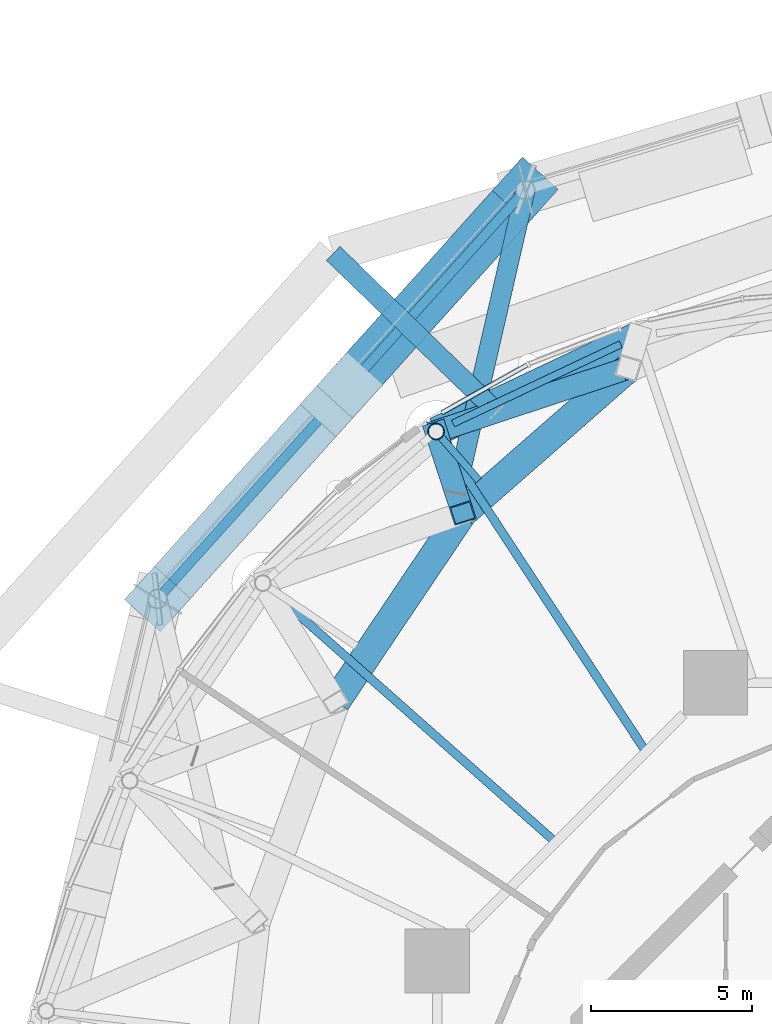
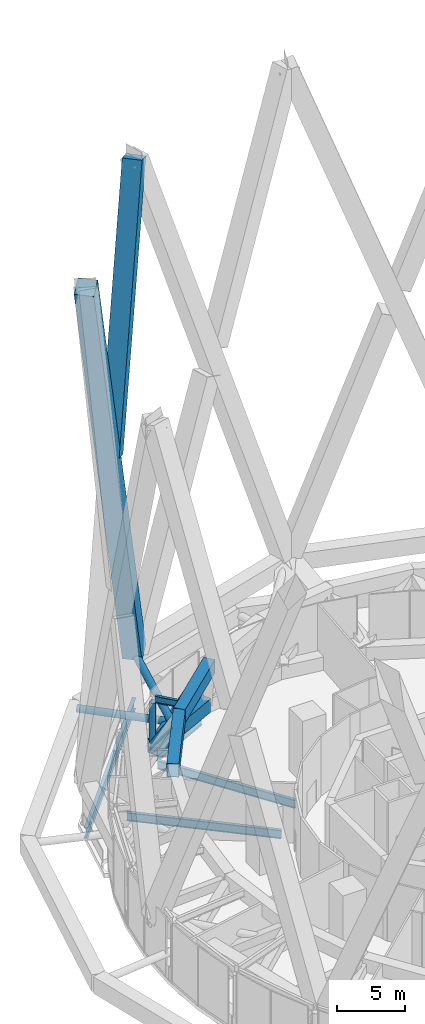
# One storey, part 30 of 49: 10 beams, 6 members, 1 element without a shape of its own.
"""IFC4 building model written with IfcOpenShell, lengths in metres."""

from ifc_helpers import new_model, si_unit, direction, frame, origin, origin_2d, place, context, subcontext, project, spatial, rectangle, hollow_rectangle, hollow_circle, i_section, extrude, material, layer, layer_set, material_profile, profile_set, type_object, element, aggregate, save


model = new_model("IFC4")

# Units and contexts
model_context = context("Model", 3, precision=1e-05, world=origin(), true_north=direction((0.0, 1.0)))
body_context = subcontext(model_context, "Body", "Model", "MODEL_VIEW")
ifc_project = project(units=[si_unit("LENGTHUNIT", "METRE"), si_unit("AREAUNIT", "SQUARE_METRE"), si_unit("VOLUMEUNIT", "CUBIC_METRE"), si_unit("PLANEANGLEUNIT", "RADIAN"), si_unit("MASSUNIT", "GRAM", prefix="KILO")], contexts=[model_context])

# Site, building, storey
site_placement = place(None, origin())
site = spatial("IfcSite", under=ifc_project, at=site_placement, CompositionType="ELEMENT")
building_placement = place(site_placement, origin())
building = spatial("IfcBuilding", under=site, at=building_placement, Name="Nagisa Residences", CompositionType="ELEMENT")
storey_placement = place(building_placement, frame((0.0, 0.0, 160.300048828125)))
storey = spatial("IfcBuildingStorey", under=building, at=storey_placement, Name="L40", CompositionType="ELEMENT", Elevation=160.300048828125)

# Beams
ifc_material_1 = material(Name="Steel ASTM A572 Gr 50", Category="steel")
ifc_material_profile_1 = material_profile(ifc_material_1, hollow_rectangle(XDim=0.89990234375, YDim=1.199951171875, WallThickness=0.044921875, at=origin_2d()), Name="BX 900x1200x45")
ifc_profile_set_1 = profile_set([ifc_material_profile_1], Name="Steel ASTM A572 Gr 50")
beam_type_1 = type_object("IfcBeamType", Name="Belt chord 3 BX 900x1200x45", PredefinedType="BEAM", material=ifc_profile_set_1)
beam_1_placement = place(storey_placement, frame((-8.538330078125, 25.5654296875, 0.599853515625), z_axis=(-0.904168316158, -0.427176375817, 0.0), x_axis=(0.427176375817, -0.904168316158, 0.0)))
element("IfcBeam", 1, at=beam_1_placement, inside=storey, type_object=beam_type_1, Name="beam:L40:bt3b08", PredefinedType="BEAM", context=body_context, shape_type="SweptSolid", body=[
    extrude(hollow_rectangle(XDim=0.89990234375, YDim=1.199951171875, WallThickness=0.044921875, at=origin_2d()), origin(), (0.0, 0.0, 1.0), 6.944580078125),
])
beam_2_placement = place(storey_placement, frame((-8.83740234375, 24.573486328125, 4.739990234375), z_axis=(-0.75247507353, -0.658620728277, 0.0), x_axis=(0.658620728277, -0.75247507353, 0.0)))
element("IfcBeam", 2, at=beam_2_placement, inside=storey, type_object=beam_type_1, Name="beam:L40:bt3t09", PredefinedType="BEAM", context=body_context, shape_type="SweptSolid", body=[
    extrude(hollow_rectangle(XDim=0.89990234375, YDim=1.199951171875, WallThickness=0.044921875, at=origin_2d()), origin(), (0.0, 0.0, 1.0), 6.846435546875),
])
beam_3_placement = place(storey_placement, frame((-13.9892578125, 20.064208984375, 4.739990234375), z_axis=(-0.558147783438, -0.829741557259, 0.0), x_axis=(0.829741557259, -0.558147783438, 0.0)))
element("IfcBeam", 3, at=beam_3_placement, inside=storey, type_object=beam_type_1, Name="beam:L40:bt3t10", PredefinedType="BEAM", context=body_context, shape_type="SweptSolid", body=[
    extrude(hollow_rectangle(XDim=0.89990234375, YDim=1.199951171875, WallThickness=0.044921875, at=origin_2d()), origin(), (0.0, 0.0, 1.0), 7.08251953125),
])
ifc_material_2 = material(Name="Steel ASTM A572 Gr 50", Category="steel")
ifc_material_profile_2 = material_profile(ifc_material_2, hollow_rectangle(XDim=0.699951171875, YDim=0.699951171875, WallThickness=0.0400390625, at=origin_2d()), Name="BX 700x700x40")
ifc_profile_set_2 = profile_set([ifc_material_profile_2], Name="Steel ASTM A572 Gr 50")
beam_type_2 = type_object("IfcBeamType", Name="Belt diagonal 3 BX 700x700x40", PredefinedType="BEAM", material=ifc_profile_set_2)
beam_4_placement = place(storey_placement, frame((-14.8173828125, 22.598876953125, 0.599853515625), z_axis=(0.793461157882, 0.262003504734, 0.549339197982), x_axis=(-0.313551551342, 0.949571179349, 0.0)))
element("IfcBeam", 4, at=beam_4_placement, inside=storey, type_object=beam_type_2, Name="beam:L40:bt3da09", PredefinedType="BEAM", context=body_context, shape_type="SweptSolid", body=[
    extrude(hollow_rectangle(XDim=0.699951171875, YDim=0.699951171875, WallThickness=0.0400390625, at=origin_2d()), origin(), (0.0, 0.0, 1.0), 7.53662109375),
])
beam_5_placement = place(storey_placement, frame((-14.8173828125, 22.598876953125, 0.599853515625), z_axis=(0.168163016761, -0.514701780664, 0.840715931082), x_axis=(0.950552513541, 0.310563872658, 0.0)))
element("IfcBeam", 5, at=beam_5_placement, inside=storey, type_object=beam_type_2, Name="beam:L40:bt3db09", PredefinedType="BEAM", context=body_context, shape_type="SweptSolid", body=[
    extrude(hollow_rectangle(XDim=0.699951171875, YDim=0.699951171875, WallThickness=0.0400390625, at=origin_2d()), origin(), (0.0, 0.0, 1.0), 4.924560546875),
])

# Curtain wall, member
ifc_material_3 = material(Name="Aluminium curtain wall system", Category="aluminium")
ifc_layer = layer(ifc_material_3, 0.159912109375)
ifc_layer_set = layer_set([ifc_layer], Name="CW2 CURTAIN WALL")
curtain_wall_type = type_object("IfcCurtainWallType", Name="CW2 CURTAIN WALL", PredefinedType="NOTDEFINED", material=ifc_layer_set)
curtain_wall_placement = place(storey_placement, origin())
curtain_wall = element("IfcCurtainWall", 6, at=curtain_wall_placement, inside=storey, type_object=curtain_wall_type, Name="cw:CW2:L40:15", PredefinedType="NOTDEFINED")
ifc_material_4 = material(Name="Aluminium", Category="aluminium")
ifc_material_profile_3 = material_profile(ifc_material_4, rectangle(XDim=0.139892578125, YDim=0.179931640625, at=origin_2d()), Name="CW2 TRANSOM 140x180")
ifc_profile_set_3 = profile_set([ifc_material_profile_3], Name="Aluminium")
member_type_1 = type_object("IfcMemberType", Name="CW2 TRANSOM 140x180", PredefinedType="USERDEFINED", material=ifc_profile_set_3)
member_1_placement = place(storey_placement, frame((-11.915283203125, 24.708984375, 0.08984375), z_axis=(-0.872093355967, -0.48933953292, 0.0), x_axis=(0.48933953292, -0.872093355967, 0.0)))
member_1 = element("IfcMember", 7, at=member_1_placement, type_object=member_type_1, Name="CW2 transom", ObjectType="TRANSOM", PredefinedType="USERDEFINED", context=body_context, shape_type="SweptSolid", body=[
    extrude(rectangle(XDim=0.139892578125, YDim=0.179931640625, at=origin_2d()), origin(), (0.0, 0.0, 1.0), 3.11962890625),
])
aggregate(curtain_wall, [member_1])

# Members
ifc_material_5 = material(Name="Concrete C80", Category="concrete")
ifc_material_profile_4 = material_profile(ifc_material_5, rectangle(XDim=1.5, YDim=1.5, at=origin_2d()), Name="C80 1500x1500")
ifc_profile_set_4 = profile_set([ifc_material_profile_4], Name="Concrete C80")
member_type_2 = type_object("IfcMemberType", Name="Cage diagonal 4 C80 1500x1500", PredefinedType="BRACE", material=ifc_profile_set_4)
member_2_placement = place(storey_placement, frame((-12.03759765625, 30.115966796875, 3.699951171875), z_axis=(-0.240089356063, -0.266961667542, 0.933321257215), x_axis=(0.743538039547, -0.668693639679, 0.0)))
element("IfcMember", 8, at=member_2_placement, inside=storey, type_object=member_type_2, Name="mem:L40:cg4d009", PredefinedType="BRACE", context=body_context, shape_type="SweptSolid", body=[
    extrude(rectangle(XDim=1.5, YDim=1.5, at=origin_2d()), origin(), (0.0, 0.0, 1.0), 47.67919921875),
])
member_3_placement = place(storey_placement, frame((-17.497314453125, 24.045166015625, 26.975830078125), z_axis=(0.240088711993, 0.266960868955, 0.933321651319), x_axis=(-0.743537936889, 0.668693753827, 0.0)))
element("IfcMember", 9, at=member_3_placement, inside=storey, type_object=member_type_2, Name="mem:L40:cg4d010b", PredefinedType="BRACE", context=body_context, shape_type="SweptSolid", body=[
    extrude(rectangle(XDim=1.5, YDim=1.5, at=origin_2d()), origin(), (0.0, 0.0, 1.0), 22.740478515625),
])
ifc_material_6 = material(Name="Steel ASTM A572 Gr 65", Category="steel")
ifc_material_profile_5 = material_profile(ifc_material_6, hollow_circle(Radius=0.304931640625, WallThickness=0.02490234375, at=origin_2d()), Name="CHS 610x25")
ifc_profile_set_5 = profile_set([ifc_material_profile_5], Name="Steel ASTM A572 Gr 65")
member_type_3 = type_object("IfcMemberType", Name="Cage strut CHS 610x25", PredefinedType="STRUT", material=ifc_profile_set_5)
member_4_placement = place(storey_placement, frame((-18.017578125, 28.1416015625, 1.89990234375), z_axis=(0.717999194602, -0.696043932918, 0.0), x_axis=(0.696043932918, 0.717999194602, 0.0)))
element("IfcMember", 10, at=member_4_placement, inside=storey, type_object=member_type_3, Name="mem:L40:bt3st3a05", PredefinedType="STRUT", context=body_context, shape_type="SweptSolid", body=[
    extrude(hollow_circle(Radius=0.304931640625, WallThickness=0.02490234375, at=origin_2d()), origin(), (0.0, 0.0, 1.0), 7.072265625),
])
member_5_placement = place(storey_placement, frame((-12.03759765625, 30.115966796875, 3.699951171875), z_axis=(-0.223578264181, -0.974685980091, 0.0), x_axis=(0.974685980091, -0.223578264181, 0.0)))
element("IfcMember", 11, at=member_5_placement, inside=storey, type_object=member_type_3, Name="mem:L40:bt3st4b05", PredefinedType="STRUT", context=body_context, shape_type="SweptSolid", body=[
    extrude(hollow_circle(Radius=0.304931640625, WallThickness=0.02490234375, at=origin_2d()), origin(), (0.0, 0.0, 1.0), 9.65966796875),
])

# Beam
ifc_material_7 = material(Name="Steel ASTM A572 Gr 50", Category="steel")
ifc_material_profile_6 = material_profile(ifc_material_7, i_section(OverallWidth=0.300048828125, OverallDepth=0.97998046875, WebThickness=0.0166015625, FlangeThickness=0.02587890625, at=origin_2d()), Name="W1000x249")
ifc_profile_set_6 = profile_set([ifc_material_profile_6], Name="Steel ASTM A572 Gr 50")
beam_type_3 = type_object("IfcBeamType", Name="Deck edge beam W1000x249", PredefinedType="BEAM", material=ifc_profile_set_6)
beam_6_placement = place(storey_placement, frame((-12.03759765625, 30.115966796875, -0.89013671875), z_axis=(-0.668693639679, -0.743538039547, 0.0), x_axis=(0.743538039547, -0.668693639679, 0.0)))
element("IfcBeam", 12, at=beam_6_placement, inside=storey, type_object=beam_type_3, Name="beam:L40:deckedge05", PredefinedType="BEAM", context=body_context, shape_type="SweptSolid", body=[
    extrude(i_section(OverallWidth=0.300048828125, OverallDepth=0.97998046875, WebThickness=0.0166015625, FlangeThickness=0.02587890625, at=origin_2d()), origin(), (0.0, 0.0, 1.0), 17.118896484375),
])

# Member
ifc_material_8 = material(Name="Steel ASTM A572 Gr 65", Category="steel")
ifc_material_profile_7 = material_profile(ifc_material_8, hollow_circle(Radius=0.25390625, WallThickness=0.02001953125, at=origin_2d()), Name="CHS 508x20")
ifc_profile_set_7 = profile_set([ifc_material_profile_7], Name="Steel ASTM A572 Gr 65")
member_type_4 = type_object("IfcMemberType", Name="Garden edge post CHS 508x20", PredefinedType="POST", material=ifc_profile_set_7)
member_6_placement = place(storey_placement, frame((-14.8173828125, 22.598876953125, 1.199951171875), z_axis=(0.0, 0.0, 1.0), x_axis=(1.0, 0.0, 0.0)))
element("IfcMember", 13, at=member_6_placement, inside=storey, type_object=member_type_4, Name="mem:L40:gp309", PredefinedType="POST", context=body_context, shape_type="SweptSolid", body=[
    extrude(hollow_circle(Radius=0.25390625, WallThickness=0.02001953125, at=origin_2d()), origin(), (0.0, 0.0, 1.0), 3.537109375),
])

# Beams
ifc_material_9 = material(Name="Steel ASTM A572 Gr 50", Category="steel")
ifc_material_profile_8 = material_profile(ifc_material_9, i_section(OverallWidth=0.22802734375, OverallDepth=0.60302734375, WebThickness=0.010498046875, FlangeThickness=0.014892578125, at=origin_2d()), Name="W610x101")
ifc_profile_set_8 = profile_set([ifc_material_profile_8], Name="Steel ASTM A572 Gr 50")
beam_type_4 = type_object("IfcBeamType", Name="Garden radial beam W610x101", PredefinedType="BEAM", material=ifc_profile_set_8)
beam_7_placement = place(storey_placement, frame((-14.663330078125, 22.4228515625, 5.038330078125), z_axis=(0.658668855382, -0.752432946481, 0.0), x_axis=(0.752432946481, 0.658668855382, 0.0)))
element("IfcBeam", 14, at=beam_7_placement, inside=storey, type_object=beam_type_4, Name="beam:L40:bt3gr09", PredefinedType="BEAM", context=body_context, shape_type="SweptSolid", body=[
    extrude(i_section(OverallWidth=0.22802734375, OverallDepth=0.60302734375, WebThickness=0.010498046875, FlangeThickness=0.014892578125, at=origin_2d()), origin(), (0.0, 0.0, 1.0), 1.788818359375),
])
ifc_material_10 = material(Name="Steel ASTM A572 Gr 50", Category="steel")
ifc_material_profile_9 = material_profile(ifc_material_10, i_section(OverallWidth=0.22802734375, OverallDepth=0.60302734375, WebThickness=0.010498046875, FlangeThickness=0.014892578125, at=origin_2d()), Name="W610x101")
ifc_profile_set_9 = profile_set([ifc_material_profile_9], Name="Steel ASTM A572 Gr 50")
beam_type_5 = type_object("IfcBeamType", Name="Perimeter ring beam W610x101", PredefinedType="BEAM", material=ifc_profile_set_9)
beam_8_placement = place(storey_placement, frame((-9.068603515625, 25.31494140625, -0.651611328125), z_axis=(-0.904169699539, -0.427173447719, 0.0), x_axis=(0.427173447719, -0.904169699539, 0.0)))
element("IfcBeam", 15, at=beam_8_placement, inside=storey, type_object=beam_type_5, Name="beam:L40:pb08", PredefinedType="BEAM", context=body_context, shape_type="SweptSolid", body=[
    extrude(i_section(OverallWidth=0.22802734375, OverallDepth=0.60302734375, WebThickness=0.010498046875, FlangeThickness=0.014892578125, at=origin_2d()), origin(), (0.0, 0.0, 1.0), 5.7724609375),
])
ifc_material_11 = material(Name="Steel ASTM A572 Gr 50", Category="steel")
ifc_material_profile_10 = material_profile(ifc_material_11, i_section(OverallWidth=0.264892578125, OverallDepth=0.7529296875, WebThickness=0.01318359375, FlangeThickness=0.01708984375, at=origin_2d()), Name="W760x147")
ifc_profile_set_10 = profile_set([ifc_material_profile_10], Name="Steel ASTM A572 Gr 50")
beam_type_6 = type_object("IfcBeamType", Name="Radial beam W760x147", PredefinedType="BEAM", material=ifc_profile_set_10)
beam_9_placement = place(storey_placement, frame((-14.581787109375, 22.2392578125, -0.7265625), z_axis=(0.548324210702, -0.836265842874, 0.0), x_axis=(0.836265842874, 0.548324210702, 0.0)))
element("IfcBeam", 16, at=beam_9_placement, inside=storey, type_object=beam_type_6, Name="beam:L40:rb09", PredefinedType="BEAM", context=body_context, shape_type="SweptSolid", body=[
    extrude(i_section(OverallWidth=0.264892578125, OverallDepth=0.7529296875, WebThickness=0.01318359375, FlangeThickness=0.01708984375, at=origin_2d()), origin(), (0.0, 0.0, 1.0), 11.365966796875),
])
beam_10_placement = place(storey_placement, frame((-19.887451171875, 17.594970703125, -0.7265625), z_axis=(0.748962066061, -0.662612876121, 0.0), x_axis=(0.662612876121, 0.748962066061, 0.0)))
element("IfcBeam", 17, at=beam_10_placement, inside=storey, type_object=beam_type_6, Name="beam:L40:rb10", PredefinedType="BEAM", context=body_context, shape_type="SweptSolid", body=[
    extrude(i_section(OverallWidth=0.264892578125, OverallDepth=0.7529296875, WebThickness=0.01318359375, FlangeThickness=0.01708984375, at=origin_2d()), origin(), (0.0, 0.0, 1.0), 11.61767578125),
])

save(model, "model.ifc")
